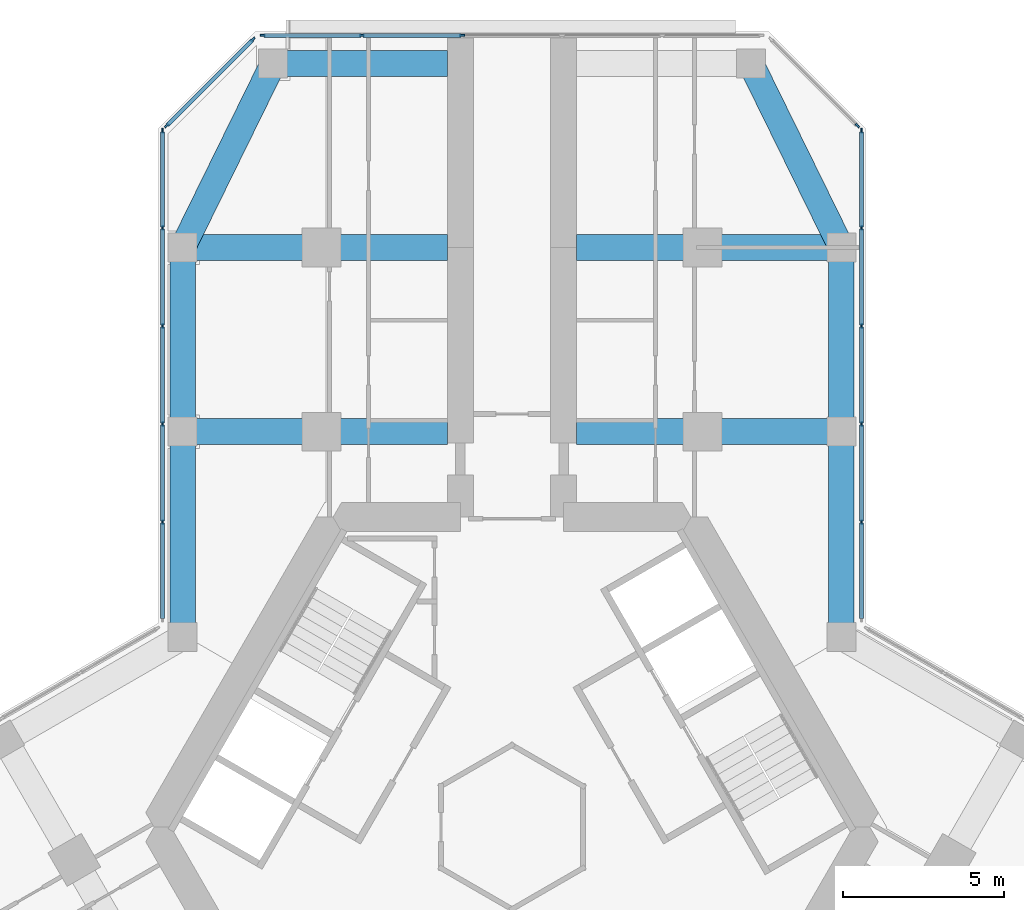
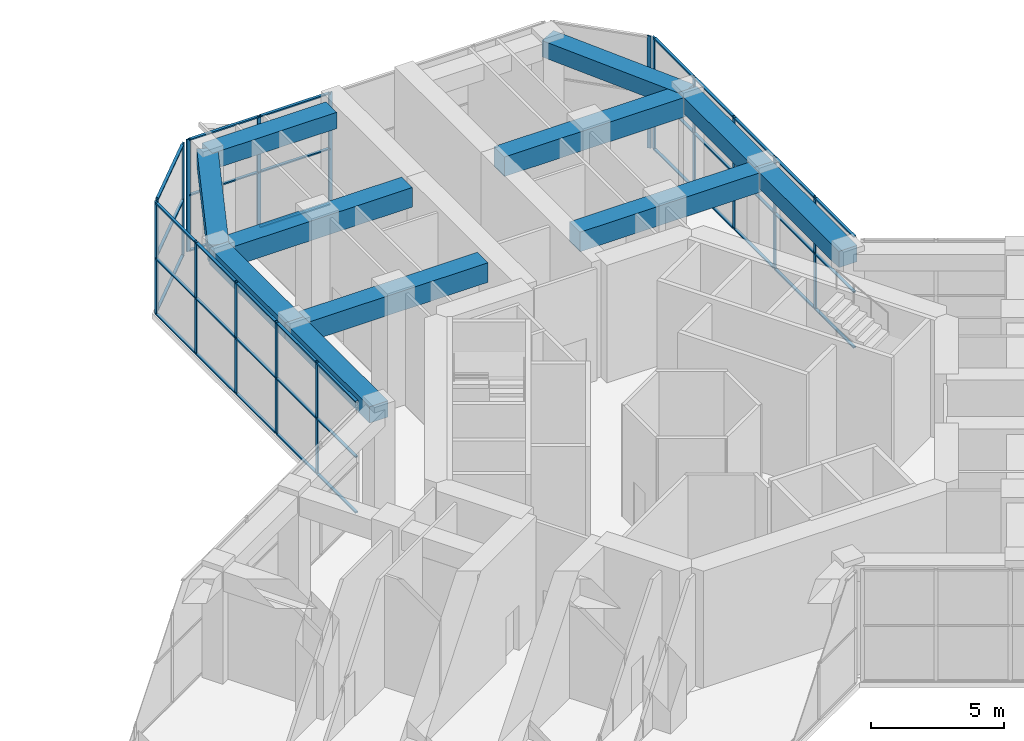
# One storey, part 8 of 20: 55 members, 11 beams, 5 elements without a shape of their own.
"""IFC4 building model written with IfcOpenShell, lengths in metres."""

from ifc_helpers import new_model, si_unit, direction, frame, origin, origin_2d, place, context, subcontext, project, spatial, rectangle, extrude, material, material_profile, profile_set, type_object, element, aggregate, save


model = new_model("IFC4")

# Units and contexts
model_context = context("Model", 3, precision=1e-05, world=origin(), true_north=direction((0.0, 1.0)))
body_context = subcontext(model_context, "Body", "Model", "MODEL_VIEW")
ifc_project = project(units=[si_unit("LENGTHUNIT", "METRE"), si_unit("AREAUNIT", "SQUARE_METRE"), si_unit("VOLUMEUNIT", "CUBIC_METRE"), si_unit("PLANEANGLEUNIT", "RADIAN"), si_unit("MASSUNIT", "GRAM", prefix="KILO")], contexts=[model_context])

# Site, building, storey
site_placement = place(None, origin())
site = spatial("IfcSite", under=ifc_project, at=site_placement, CompositionType="ELEMENT")
building_placement = place(site_placement, origin())
building = spatial("IfcBuilding", under=site, at=building_placement, Name="Kosmar Iwan School Tower", CompositionType="ELEMENT")
storey_placement = place(building_placement, frame((0.0, 0.0, 152.60009765625)))
storey = spatial("IfcBuildingStorey", under=building, at=storey_placement, Name="L38", CompositionType="ELEMENT", Elevation=152.60009765625)

# Curtain wall, members
ifc_material_1 = material(Name="Dark glass in black aluminium frame", Category="aluminium")
curtain_wall_type_1 = type_object("IfcCurtainWallType", Name="Winter garden curtain wall", PredefinedType="USERDEFINED", material=ifc_material_1)
curtain_wall_1_placement = place(storey_placement, origin())
curtain_wall_1 = element("IfcCurtainWall", 1, at=curtain_wall_1_placement, inside=storey, type_object=curtain_wall_type_1, Name="Curtain wall L38-F06", ObjectType="WINTER GARDEN CURTAIN WALL", PredefinedType="USERDEFINED")
ifc_material_2 = material(Name="Black anodised aluminium", Category="aluminium")
ifc_material_profile_1 = material_profile(ifc_material_2, rectangle(XDim=0.06005859375, YDim=0.159912109375, at=origin_2d()), Name="MULLION 60x160")
ifc_profile_set_1 = profile_set([ifc_material_profile_1], Name="Black anodised aluminium")
member_type_1 = type_object("IfcMemberType", Name="Mullion 60x160", PredefinedType="MULLION", material=ifc_profile_set_1)
member_1_placement = place(storey_placement, frame((10.824951171875, 9.44677734375, 0.0), z_axis=(0.0, 0.0, 1.0), x_axis=(-1.0, 0.0, 0.0)))
member_1 = element("IfcMember", 2, at=member_1_placement, type_object=member_type_1, Name="CW7 mullion 2", PredefinedType="MULLION", context=body_context, shape_type="SweptSolid", body=[
    extrude(rectangle(XDim=0.06005859375, YDim=0.159912109375, at=origin_2d()), origin(), (0.0, 0.0, 1.0), 5.14990234375),
])
member_2_placement = place(storey_placement, frame((10.824951171875, 12.484619140625, 0.0), z_axis=(0.0, 0.0, 1.0), x_axis=(-1.0, 0.0, 0.0)))
member_2 = element("IfcMember", 3, at=member_2_placement, type_object=member_type_1, Name="CW7 mullion 3", PredefinedType="MULLION", context=body_context, shape_type="SweptSolid", body=[
    extrude(rectangle(XDim=0.06005859375, YDim=0.159912109375, at=origin_2d()), origin(), (0.0, 0.0, 1.0), 5.14990234375),
])
member_3_placement = place(storey_placement, frame((10.824951171875, 15.5224609375, 0.0), z_axis=(0.0, 0.0, 1.0), x_axis=(-1.0, 0.0, 0.0)))
member_3 = element("IfcMember", 4, at=member_3_placement, type_object=member_type_1, Name="CW7 mullion 4", PredefinedType="MULLION", context=body_context, shape_type="SweptSolid", body=[
    extrude(rectangle(XDim=0.06005859375, YDim=0.159912109375, at=origin_2d()), origin(), (0.0, 0.0, 1.0), 5.14990234375),
])
member_4_placement = place(storey_placement, frame((10.824951171875, 18.560302734375, 0.0), z_axis=(0.0, 0.0, 1.0), x_axis=(-1.0, 0.0, 0.0)))
member_4 = element("IfcMember", 5, at=member_4_placement, type_object=member_type_1, Name="CW7 mullion 5", PredefinedType="MULLION", context=body_context, shape_type="SweptSolid", body=[
    extrude(rectangle(XDim=0.06005859375, YDim=0.159912109375, at=origin_2d()), origin(), (0.0, 0.0, 1.0), 5.14990234375),
])
member_5_placement = place(storey_placement, frame((10.824951171875, 21.568115234375, 0.0), z_axis=(0.0, 0.0, 1.0), x_axis=(-1.0, 0.0, 0.0)))
member_5 = element("IfcMember", 6, at=member_5_placement, type_object=member_type_1, Name="CW7 mullion 6", PredefinedType="MULLION", context=body_context, shape_type="SweptSolid", body=[
    extrude(rectangle(XDim=0.06005859375, YDim=0.159912109375, at=origin_2d()), origin(), (0.0, 0.0, 1.0), 5.14990234375),
])

# Curtain wall, member
ifc_material_3 = material(Name="Dark glass in black aluminium frame", Category="aluminium")
curtain_wall_type_2 = type_object("IfcCurtainWallType", Name="Chamfer curtain wall dark glass", PredefinedType="USERDEFINED", material=ifc_material_3)
curtain_wall_2_placement = place(storey_placement, origin())
curtain_wall_2 = element("IfcCurtainWall", 7, at=curtain_wall_2_placement, inside=storey, type_object=curtain_wall_type_2, Name="Curtain wall L38-F07", ObjectType="FACETED CURTAIN WALL", PredefinedType="USERDEFINED")
member_6_placement = place(storey_placement, frame((10.69775390625, 21.7255859375, 0.0), z_axis=(0.0, 0.0, 1.0), x_axis=(-0.707106781187, -0.707106781187, 0.0)))
member_6 = element("IfcMember", 8, at=member_6_placement, type_object=member_type_1, Name="CW2 mullion 1", PredefinedType="MULLION", context=body_context, shape_type="SweptSolid", body=[
    extrude(rectangle(XDim=0.06005859375, YDim=0.159912109375, at=origin_2d()), origin(), (0.0, 0.0, 1.0), 5.14990234375),
])
aggregate(curtain_wall_2, [member_6])

# Curtain wall, members
ifc_material_4 = material(Name="Dark glass in black aluminium frame", Category="aluminium")
curtain_wall_type_3 = type_object("IfcCurtainWallType", Name="Tower curtain wall dark glass", PredefinedType="USERDEFINED", material=ifc_material_4)
curtain_wall_3_placement = place(storey_placement, origin())
curtain_wall_3 = element("IfcCurtainWall", 9, at=curtain_wall_3_placement, inside=storey, type_object=curtain_wall_type_3, Name="Curtain wall L38-F08", ObjectType="UNITISED CURTAIN WALL", PredefinedType="USERDEFINED")
member_7_placement = place(storey_placement, frame((-1.549560546875, 24.52490234375, 0.0), z_axis=(0.0, 0.0, 1.0), x_axis=(0.0, -1.0, 0.0)))
member_7 = element("IfcMember", 10, at=member_7_placement, type_object=member_type_1, Name="CW1 mullion 4", PredefinedType="MULLION", context=body_context, shape_type="SweptSolid", body=[
    extrude(rectangle(XDim=0.06005859375, YDim=0.159912109375, at=origin_2d()), origin(), (0.0, 0.0, 1.0), 5.14990234375),
])
member_8_placement = place(storey_placement, frame((-4.64892578125, 24.52490234375, 0.0), z_axis=(0.0, 0.0, 1.0), x_axis=(0.0, -1.0, 0.0)))
member_8 = element("IfcMember", 11, at=member_8_placement, type_object=member_type_1, Name="CW1 mullion 5", PredefinedType="MULLION", context=body_context, shape_type="SweptSolid", body=[
    extrude(rectangle(XDim=0.06005859375, YDim=0.159912109375, at=origin_2d()), origin(), (0.0, 0.0, 1.0), 5.14990234375),
])
member_9_placement = place(storey_placement, frame((-7.71826171875, 24.52490234375, 0.0), z_axis=(0.0, 0.0, 1.0), x_axis=(0.0, -1.0, 0.0)))
member_9 = element("IfcMember", 12, at=member_9_placement, type_object=member_type_1, Name="CW1 mullion 6", PredefinedType="MULLION", context=body_context, shape_type="SweptSolid", body=[
    extrude(rectangle(XDim=0.06005859375, YDim=0.159912109375, at=origin_2d()), origin(), (0.0, 0.0, 1.0), 5.14990234375),
])

curtain_wall_4_placement = place(storey_placement, origin())
curtain_wall_4 = element("IfcCurtainWall", 13, at=curtain_wall_4_placement, inside=storey, type_object=curtain_wall_type_2, Name="Curtain wall L38-F09", ObjectType="FACETED CURTAIN WALL", PredefinedType="USERDEFINED")
member_10_placement = place(storey_placement, frame((-8.025390625, 24.397705078125, 0.0), z_axis=(0.0, 0.0, 1.0), x_axis=(0.707106781187, -0.707106781187, 0.0)))
member_10 = element("IfcMember", 14, at=member_10_placement, type_object=member_type_1, Name="CW2 mullion 1", PredefinedType="MULLION", context=body_context, shape_type="SweptSolid", body=[
    extrude(rectangle(XDim=0.06005859375, YDim=0.159912109375, at=origin_2d()), origin(), (0.0, 0.0, 1.0), 5.14990234375),
])
member_11_placement = place(storey_placement, frame((-10.69775390625, 21.7255859375, 0.0), z_axis=(0.0, 0.0, 1.0), x_axis=(0.707106781187, -0.707106781187, 0.0)))
member_11 = element("IfcMember", 15, at=member_11_placement, type_object=member_type_1, Name="CW2 mullion 2", PredefinedType="MULLION", context=body_context, shape_type="SweptSolid", body=[
    extrude(rectangle(XDim=0.06005859375, YDim=0.159912109375, at=origin_2d()), origin(), (0.0, 0.0, 1.0), 5.14990234375),
])

curtain_wall_5_placement = place(storey_placement, origin())
curtain_wall_5 = element("IfcCurtainWall", 16, at=curtain_wall_5_placement, inside=storey, type_object=curtain_wall_type_1, Name="Curtain wall L38-F10", ObjectType="WINTER GARDEN CURTAIN WALL", PredefinedType="USERDEFINED")
member_12_placement = place(storey_placement, frame((-10.824951171875, 9.44677734375, 0.0), z_axis=(0.0, 0.0, 1.0), x_axis=(-1.0, 0.0, 0.0)))
member_12 = element("IfcMember", 17, at=member_12_placement, type_object=member_type_1, Name="CW7 mullion 2", PredefinedType="MULLION", context=body_context, shape_type="SweptSolid", body=[
    extrude(rectangle(XDim=0.06005859375, YDim=0.159912109375, at=origin_2d()), origin(), (0.0, 0.0, 1.0), 5.14990234375),
])
member_13_placement = place(storey_placement, frame((-10.824951171875, 12.484619140625, 0.0), z_axis=(0.0, 0.0, 1.0), x_axis=(-1.0, 0.0, 0.0)))
member_13 = element("IfcMember", 18, at=member_13_placement, type_object=member_type_1, Name="CW7 mullion 3", PredefinedType="MULLION", context=body_context, shape_type="SweptSolid", body=[
    extrude(rectangle(XDim=0.06005859375, YDim=0.159912109375, at=origin_2d()), origin(), (0.0, 0.0, 1.0), 5.14990234375),
])
member_14_placement = place(storey_placement, frame((-10.824951171875, 15.5224609375, 0.0), z_axis=(0.0, 0.0, 1.0), x_axis=(-1.0, 0.0, 0.0)))
member_14 = element("IfcMember", 19, at=member_14_placement, type_object=member_type_1, Name="CW7 mullion 4", PredefinedType="MULLION", context=body_context, shape_type="SweptSolid", body=[
    extrude(rectangle(XDim=0.06005859375, YDim=0.159912109375, at=origin_2d()), origin(), (0.0, 0.0, 1.0), 5.14990234375),
])
member_15_placement = place(storey_placement, frame((-10.824951171875, 18.560302734375, 0.0), z_axis=(0.0, 0.0, 1.0), x_axis=(-1.0, 0.0, 0.0)))
member_15 = element("IfcMember", 20, at=member_15_placement, type_object=member_type_1, Name="CW7 mullion 5", PredefinedType="MULLION", context=body_context, shape_type="SweptSolid", body=[
    extrude(rectangle(XDim=0.06005859375, YDim=0.159912109375, at=origin_2d()), origin(), (0.0, 0.0, 1.0), 5.14990234375),
])
member_16_placement = place(storey_placement, frame((-10.824951171875, 21.568115234375, 0.0), z_axis=(0.0, 0.0, 1.0), x_axis=(-1.0, 0.0, 0.0)))
member_16 = element("IfcMember", 21, at=member_16_placement, type_object=member_type_1, Name="CW7 mullion 6", PredefinedType="MULLION", context=body_context, shape_type="SweptSolid", body=[
    extrude(rectangle(XDim=0.06005859375, YDim=0.159912109375, at=origin_2d()), origin(), (0.0, 0.0, 1.0), 5.14990234375),
])

# Beams
ifc_material_5 = material(Name="Concrete C50/60", Category="concrete")
ifc_material_profile_2 = material_profile(ifc_material_5, rectangle(XDim=0.800048828125, YDim=0.75, at=origin_2d()), Name="RC 800x750")
ifc_profile_set_2 = profile_set([ifc_material_profile_2], Name="Concrete C50/60")
beam_type_1 = type_object("IfcBeamType", Name="RC edge beam 800x750", PredefinedType="BEAM", material=ifc_profile_set_2)
beam_1_placement = place(storey_placement, frame((-10.199951171875, 5.888916015625, 4.77490234375), z_axis=(0.0, 1.0, 0.0), x_axis=(-1.0, 0.0, 0.0)))
element("IfcBeam", 22, at=beam_1_placement, inside=storey, type_object=beam_type_1, Name="Edge beam AL1", PredefinedType="BEAM", context=body_context, shape_type="SweptSolid", body=[
    extrude(rectangle(XDim=0.800048828125, YDim=0.75, at=origin_2d()), origin(), (0.0, 0.0, 1.0), 6.361083984375),
])
beam_2_placement = place(storey_placement, frame((-10.199951171875, 12.25, 4.77490234375), z_axis=(0.0, 1.0, 0.0), x_axis=(-1.0, 0.0, 0.0)))
element("IfcBeam", 23, at=beam_2_placement, inside=storey, type_object=beam_type_1, Name="Edge beam AL2", PredefinedType="BEAM", context=body_context, shape_type="SweptSolid", body=[
    extrude(rectangle(XDim=0.800048828125, YDim=0.75, at=origin_2d()), origin(), (0.0, 0.0, 1.0), 5.699951171875),
])
beam_3_placement = place(storey_placement, frame((10.199951171875, 5.888916015625, 4.77490234375), z_axis=(0.0, 1.0, 0.0), x_axis=(-1.0, 0.0, 0.0)))
element("IfcBeam", 24, at=beam_3_placement, inside=storey, type_object=beam_type_1, Name="Edge beam AR1", PredefinedType="BEAM", context=body_context, shape_type="SweptSolid", body=[
    extrude(rectangle(XDim=0.800048828125, YDim=0.75, at=origin_2d()), origin(), (0.0, 0.0, 1.0), 6.361083984375),
])
beam_4_placement = place(storey_placement, frame((10.199951171875, 12.25, 4.77490234375), z_axis=(0.0, 1.0, 0.0), x_axis=(-1.0, 0.0, 0.0)))
element("IfcBeam", 25, at=beam_4_placement, inside=storey, type_object=beam_type_1, Name="Edge beam AR2", PredefinedType="BEAM", context=body_context, shape_type="SweptSolid", body=[
    extrude(rectangle(XDim=0.800048828125, YDim=0.75, at=origin_2d()), origin(), (0.0, 0.0, 1.0), 5.699951171875),
])
ifc_material_6 = material(Name="Concrete C50/60", Category="concrete")
ifc_material_profile_3 = material_profile(ifc_material_6, rectangle(XDim=0.800048828125, YDim=0.75, at=origin_2d()), Name="RC 800x750")
ifc_profile_set_3 = profile_set([ifc_material_profile_3], Name="Concrete C50/60")
beam_type_2 = type_object("IfcBeamType", Name="RC tip beam 800x750", PredefinedType="BEAM", material=ifc_profile_set_3)
beam_5_placement = place(storey_placement, frame((-10.199951171875, 17.949951171875, 4.77490234375), z_axis=(0.440913116462, 0.897549788999, 0.0), x_axis=(-0.897549788999, 0.440913116462, 0.0)))
element("IfcBeam", 26, at=beam_5_placement, inside=storey, type_object=beam_type_2, Name="Tip beam AL", PredefinedType="BEAM", context=body_context, shape_type="SweptSolid", body=[
    extrude(rectangle(XDim=0.800048828125, YDim=0.75, at=origin_2d()), origin(), (0.0, 0.0, 1.0), 6.3505859375),
])
beam_6_placement = place(storey_placement, frame((-7.39990234375, 23.64990234375, 4.77490234375), z_axis=(1.0, 0.0, 0.0), x_axis=(0.0, 1.0, 0.0)))
element("IfcBeam", 27, at=beam_6_placement, inside=storey, type_object=beam_type_2, Name="Tip beam AL to corridor wall", PredefinedType="BEAM", context=body_context, shape_type="SweptSolid", body=[
    extrude(rectangle(XDim=0.800048828125, YDim=0.75, at=origin_2d()), origin(), (0.0, 0.0, 1.0), 5.39990234375),
])
beam_7_placement = place(storey_placement, frame((10.199951171875, 17.949951171875, 4.77490234375), z_axis=(-0.440913116462, 0.897549788999, 0.0), x_axis=(-0.897549788999, -0.440913116462, 0.0)))
element("IfcBeam", 28, at=beam_7_placement, inside=storey, type_object=beam_type_2, Name="Tip beam AR", PredefinedType="BEAM", context=body_context, shape_type="SweptSolid", body=[
    extrude(rectangle(XDim=0.800048828125, YDim=0.75, at=origin_2d()), origin(), (0.0, 0.0, 1.0), 6.3505859375),
])
ifc_material_7 = material(Name="Concrete C50/60", Category="concrete")
ifc_material_profile_4 = material_profile(ifc_material_7, rectangle(XDim=0.800048828125, YDim=0.89990234375, at=origin_2d()), Name="RC 800x900")
ifc_profile_set_4 = profile_set([ifc_material_profile_4], Name="Concrete C50/60")
beam_type_3 = type_object("IfcBeamType", Name="RC transverse beam 800x900", PredefinedType="BEAM", material=ifc_profile_set_4)
for number, where, z_axis, x_axis, name in (
    (29, (-10.199951171875, 12.25, 4.699951171875), (1.0, 0.0, 0.0), (0.0, 1.0, 0.0), "Transverse beam AL1"),
    (30, (-10.199951171875, 17.949951171875, 4.699951171875), (1.0, 0.0, 0.0), (0.0, 1.0, 0.0), "Transverse beam AL2"),
    (31, (10.199951171875, 12.25, 4.699951171875), (-1.0, 0.0, 0.0), (0.0, -1.0, 0.0), "Transverse beam AR1"),
    (32, (10.199951171875, 17.949951171875, 4.699951171875), (-1.0, 0.0, 0.0), (0.0, -1.0, 0.0), "Transverse beam AR2"),
):
    element("IfcBeam", number, at=place(storey_placement, frame(where, z_axis=z_axis, x_axis=x_axis)), inside=storey, type_object=beam_type_3, Name=name, PredefinedType="BEAM", context=body_context, shape_type="SweptSolid", body=[
        extrude(rectangle(XDim=0.800048828125, YDim=0.89990234375, at=origin_2d()), origin(), (0.0, 0.0, 1.0), 8.199951171875),
    ])

# Member
ifc_material_8 = material(Name="Black anodised aluminium", Category="aluminium")
ifc_material_profile_5 = material_profile(ifc_material_8, rectangle(XDim=0.1201171875, YDim=0.06005859375, at=origin_2d()), Name="TRANSOM 60x120")
ifc_profile_set_5 = profile_set([ifc_material_profile_5], Name="Black anodised aluminium")
member_type_2 = type_object("IfcMemberType", Name="Transom 60x120", PredefinedType="USERDEFINED", material=ifc_profile_set_5)
member_17_placement = place(storey_placement, frame((10.824951171875, 6.468994140625, 0.02978515625), z_axis=(0.0, 1.0, 0.0), x_axis=(-1.0, 0.0, 0.0)))
member_17 = element("IfcMember", 33, at=member_17_placement, type_object=member_type_2, Name="CW7 transom 1.1", ObjectType="TRANSOM", PredefinedType="USERDEFINED", context=body_context, shape_type="SweptSolid", body=[
    extrude(rectangle(XDim=0.1201171875, YDim=0.06005859375, at=origin_2d()), origin(), (0.0, 0.0, 1.0), 2.94775390625),
])

member_18_placement = place(storey_placement, frame((10.824951171875, 6.468994140625, 2.574951171875), z_axis=(0.0, 1.0, 0.0), x_axis=(-1.0, 0.0, 0.0)))
member_18 = element("IfcMember", 34, at=member_18_placement, type_object=member_type_2, Name="CW7 transom 1.2", ObjectType="TRANSOM", PredefinedType="USERDEFINED", context=body_context, shape_type="SweptSolid", body=[
    extrude(rectangle(XDim=0.1201171875, YDim=0.06005859375, at=origin_2d()), origin(), (0.0, 0.0, 1.0), 2.94775390625),
])

member_19_placement = place(storey_placement, frame((10.824951171875, 6.468994140625, 5.119873046875), z_axis=(0.0, 1.0, 0.0), x_axis=(-1.0, 0.0, 0.0)))
member_19 = element("IfcMember", 35, at=member_19_placement, type_object=member_type_2, Name="CW7 transom 1.3", ObjectType="TRANSOM", PredefinedType="USERDEFINED", context=body_context, shape_type="SweptSolid", body=[
    extrude(rectangle(XDim=0.1201171875, YDim=0.06005859375, at=origin_2d()), origin(), (0.0, 0.0, 1.0), 2.94775390625),
])

member_20_placement = place(storey_placement, frame((10.824951171875, 9.476806640625, 0.02978515625), z_axis=(0.0, 1.0, 0.0), x_axis=(-1.0, 0.0, 0.0)))
member_20 = element("IfcMember", 36, at=member_20_placement, type_object=member_type_2, Name="CW7 transom 2.1", ObjectType="TRANSOM", PredefinedType="USERDEFINED", context=body_context, shape_type="SweptSolid", body=[
    extrude(rectangle(XDim=0.1201171875, YDim=0.06005859375, at=origin_2d()), origin(), (0.0, 0.0, 1.0), 2.977783203125),
])

member_21_placement = place(storey_placement, frame((10.824951171875, 9.476806640625, 2.574951171875), z_axis=(0.0, 1.0, 0.0), x_axis=(-1.0, 0.0, 0.0)))
member_21 = element("IfcMember", 37, at=member_21_placement, type_object=member_type_2, Name="CW7 transom 2.2", ObjectType="TRANSOM", PredefinedType="USERDEFINED", context=body_context, shape_type="SweptSolid", body=[
    extrude(rectangle(XDim=0.1201171875, YDim=0.06005859375, at=origin_2d()), origin(), (0.0, 0.0, 1.0), 2.977783203125),
])

member_22_placement = place(storey_placement, frame((10.824951171875, 9.476806640625, 5.119873046875), z_axis=(0.0, 1.0, 0.0), x_axis=(-1.0, 0.0, 0.0)))
member_22 = element("IfcMember", 38, at=member_22_placement, type_object=member_type_2, Name="CW7 transom 2.3", ObjectType="TRANSOM", PredefinedType="USERDEFINED", context=body_context, shape_type="SweptSolid", body=[
    extrude(rectangle(XDim=0.1201171875, YDim=0.06005859375, at=origin_2d()), origin(), (0.0, 0.0, 1.0), 2.977783203125),
])

member_23_placement = place(storey_placement, frame((10.824951171875, 12.5146484375, 0.02978515625), z_axis=(0.0, 1.0, 0.0), x_axis=(-1.0, 0.0, 0.0)))
member_23 = element("IfcMember", 39, at=member_23_placement, type_object=member_type_2, Name="CW7 transom 3.1", ObjectType="TRANSOM", PredefinedType="USERDEFINED", context=body_context, shape_type="SweptSolid", body=[
    extrude(rectangle(XDim=0.1201171875, YDim=0.06005859375, at=origin_2d()), origin(), (0.0, 0.0, 1.0), 2.977783203125),
])

member_24_placement = place(storey_placement, frame((10.824951171875, 12.5146484375, 2.574951171875), z_axis=(0.0, 1.0, 0.0), x_axis=(-1.0, 0.0, 0.0)))
member_24 = element("IfcMember", 40, at=member_24_placement, type_object=member_type_2, Name="CW7 transom 3.2", ObjectType="TRANSOM", PredefinedType="USERDEFINED", context=body_context, shape_type="SweptSolid", body=[
    extrude(rectangle(XDim=0.1201171875, YDim=0.06005859375, at=origin_2d()), origin(), (0.0, 0.0, 1.0), 2.977783203125),
])

member_25_placement = place(storey_placement, frame((10.824951171875, 12.5146484375, 5.119873046875), z_axis=(0.0, 1.0, 0.0), x_axis=(-1.0, 0.0, 0.0)))
member_25 = element("IfcMember", 41, at=member_25_placement, type_object=member_type_2, Name="CW7 transom 3.3", ObjectType="TRANSOM", PredefinedType="USERDEFINED", context=body_context, shape_type="SweptSolid", body=[
    extrude(rectangle(XDim=0.1201171875, YDim=0.06005859375, at=origin_2d()), origin(), (0.0, 0.0, 1.0), 2.977783203125),
])

member_26_placement = place(storey_placement, frame((10.824951171875, 15.552490234375, 0.02978515625), z_axis=(0.0, 1.0, 0.0), x_axis=(-1.0, 0.0, 0.0)))
member_26 = element("IfcMember", 42, at=member_26_placement, type_object=member_type_2, Name="CW7 transom 4.1", ObjectType="TRANSOM", PredefinedType="USERDEFINED", context=body_context, shape_type="SweptSolid", body=[
    extrude(rectangle(XDim=0.1201171875, YDim=0.06005859375, at=origin_2d()), origin(), (0.0, 0.0, 1.0), 2.977783203125),
])

member_27_placement = place(storey_placement, frame((10.824951171875, 15.552490234375, 2.574951171875), z_axis=(0.0, 1.0, 0.0), x_axis=(-1.0, 0.0, 0.0)))
member_27 = element("IfcMember", 43, at=member_27_placement, type_object=member_type_2, Name="CW7 transom 4.2", ObjectType="TRANSOM", PredefinedType="USERDEFINED", context=body_context, shape_type="SweptSolid", body=[
    extrude(rectangle(XDim=0.1201171875, YDim=0.06005859375, at=origin_2d()), origin(), (0.0, 0.0, 1.0), 2.977783203125),
])

member_28_placement = place(storey_placement, frame((10.824951171875, 15.552490234375, 5.119873046875), z_axis=(0.0, 1.0, 0.0), x_axis=(-1.0, 0.0, 0.0)))
member_28 = element("IfcMember", 44, at=member_28_placement, type_object=member_type_2, Name="CW7 transom 4.3", ObjectType="TRANSOM", PredefinedType="USERDEFINED", context=body_context, shape_type="SweptSolid", body=[
    extrude(rectangle(XDim=0.1201171875, YDim=0.06005859375, at=origin_2d()), origin(), (0.0, 0.0, 1.0), 2.977783203125),
])

member_29_placement = place(storey_placement, frame((10.824951171875, 18.59033203125, 0.02978515625), z_axis=(0.0, 1.0, 0.0), x_axis=(-1.0, 0.0, 0.0)))
member_29 = element("IfcMember", 45, at=member_29_placement, type_object=member_type_2, Name="CW7 transom 5.1", ObjectType="TRANSOM", PredefinedType="USERDEFINED", context=body_context, shape_type="SweptSolid", body=[
    extrude(rectangle(XDim=0.1201171875, YDim=0.06005859375, at=origin_2d()), origin(), (0.0, 0.0, 1.0), 2.947998046875),
])

member_30_placement = place(storey_placement, frame((10.824951171875, 18.59033203125, 2.574951171875), z_axis=(0.0, 1.0, 0.0), x_axis=(-1.0, 0.0, 0.0)))
member_30 = element("IfcMember", 46, at=member_30_placement, type_object=member_type_2, Name="CW7 transom 5.2", ObjectType="TRANSOM", PredefinedType="USERDEFINED", context=body_context, shape_type="SweptSolid", body=[
    extrude(rectangle(XDim=0.1201171875, YDim=0.06005859375, at=origin_2d()), origin(), (0.0, 0.0, 1.0), 2.947998046875),
])

member_31_placement = place(storey_placement, frame((10.824951171875, 18.59033203125, 5.119873046875), z_axis=(0.0, 1.0, 0.0), x_axis=(-1.0, 0.0, 0.0)))
member_31 = element("IfcMember", 47, at=member_31_placement, type_object=member_type_2, Name="CW7 transom 5.3", ObjectType="TRANSOM", PredefinedType="USERDEFINED", context=body_context, shape_type="SweptSolid", body=[
    extrude(rectangle(XDim=0.1201171875, YDim=0.06005859375, at=origin_2d()), origin(), (0.0, 0.0, 1.0), 2.947998046875),
])

aggregate(curtain_wall_1, [member_1, member_2, member_3, member_4, member_5, member_17, member_18, member_19, member_20, member_21, member_22, member_23, member_24, member_25, member_26, member_27, member_28, member_29, member_30, member_31])

member_32_placement = place(storey_placement, frame((-1.57958984375, 24.52490234375, 0.02978515625), z_axis=(-1.0, 0.0, 0.0), x_axis=(0.0, -1.0, 0.0)))
member_32 = element("IfcMember", 48, at=member_32_placement, type_object=member_type_2, Name="CW1 transom 4.1", ObjectType="TRANSOM", PredefinedType="USERDEFINED", context=body_context, shape_type="SweptSolid", body=[
    extrude(rectangle(XDim=0.1201171875, YDim=0.06005859375, at=origin_2d()), origin(), (0.0, 0.0, 1.0), 3.039306640625),
])

member_33_placement = place(storey_placement, frame((-1.57958984375, 24.52490234375, 2.574951171875), z_axis=(-1.0, 0.0, 0.0), x_axis=(0.0, -1.0, 0.0)))
member_33 = element("IfcMember", 49, at=member_33_placement, type_object=member_type_2, Name="CW1 transom 4.2", ObjectType="TRANSOM", PredefinedType="USERDEFINED", context=body_context, shape_type="SweptSolid", body=[
    extrude(rectangle(XDim=0.1201171875, YDim=0.06005859375, at=origin_2d()), origin(), (0.0, 0.0, 1.0), 3.039306640625),
])

member_34_placement = place(storey_placement, frame((-1.57958984375, 24.52490234375, 5.119873046875), z_axis=(-1.0, 0.0, 0.0), x_axis=(0.0, -1.0, 0.0)))
member_34 = element("IfcMember", 50, at=member_34_placement, type_object=member_type_2, Name="CW1 transom 4.3", ObjectType="TRANSOM", PredefinedType="USERDEFINED", context=body_context, shape_type="SweptSolid", body=[
    extrude(rectangle(XDim=0.1201171875, YDim=0.06005859375, at=origin_2d()), origin(), (0.0, 0.0, 1.0), 3.039306640625),
])

member_35_placement = place(storey_placement, frame((-4.678955078125, 24.52490234375, 0.02978515625), z_axis=(-1.0, 0.0, 0.0), x_axis=(0.0, -1.0, 0.0)))
member_35 = element("IfcMember", 51, at=member_35_placement, type_object=member_type_2, Name="CW1 transom 5.1", ObjectType="TRANSOM", PredefinedType="USERDEFINED", context=body_context, shape_type="SweptSolid", body=[
    extrude(rectangle(XDim=0.1201171875, YDim=0.06005859375, at=origin_2d()), origin(), (0.0, 0.0, 1.0), 3.00927734375),
])

member_36_placement = place(storey_placement, frame((-4.678955078125, 24.52490234375, 2.574951171875), z_axis=(-1.0, 0.0, 0.0), x_axis=(0.0, -1.0, 0.0)))
member_36 = element("IfcMember", 52, at=member_36_placement, type_object=member_type_2, Name="CW1 transom 5.2", ObjectType="TRANSOM", PredefinedType="USERDEFINED", context=body_context, shape_type="SweptSolid", body=[
    extrude(rectangle(XDim=0.1201171875, YDim=0.06005859375, at=origin_2d()), origin(), (0.0, 0.0, 1.0), 3.00927734375),
])

member_37_placement = place(storey_placement, frame((-4.678955078125, 24.52490234375, 5.119873046875), z_axis=(-1.0, 0.0, 0.0), x_axis=(0.0, -1.0, 0.0)))
member_37 = element("IfcMember", 53, at=member_37_placement, type_object=member_type_2, Name="CW1 transom 5.3", ObjectType="TRANSOM", PredefinedType="USERDEFINED", context=body_context, shape_type="SweptSolid", body=[
    extrude(rectangle(XDim=0.1201171875, YDim=0.06005859375, at=origin_2d()), origin(), (0.0, 0.0, 1.0), 3.00927734375),
])

aggregate(curtain_wall_3, [member_7, member_8, member_9, member_32, member_33, member_34, member_35, member_36, member_37])

member_38_placement = place(storey_placement, frame((-8.046630859375, 24.37646484375, 0.02978515625), z_axis=(-0.707139603466, -0.707073957383, 0.0), x_axis=(0.707073957383, -0.707139603466, 0.0)))
member_38 = element("IfcMember", 54, at=member_38_placement, type_object=member_type_2, Name="CW2 transom 1.1", ObjectType="TRANSOM", PredefinedType="USERDEFINED", context=body_context, shape_type="SweptSolid", body=[
    extrude(rectangle(XDim=0.1201171875, YDim=0.06005859375, at=origin_2d()), origin(), (0.0, 0.0, 1.0), 3.718994140625),
])

member_39_placement = place(storey_placement, frame((-8.046630859375, 24.37646484375, 2.574951171875), z_axis=(-0.707139603466, -0.707073957383, 0.0), x_axis=(0.707073957383, -0.707139603466, 0.0)))
member_39 = element("IfcMember", 55, at=member_39_placement, type_object=member_type_2, Name="CW2 transom 1.2", ObjectType="TRANSOM", PredefinedType="USERDEFINED", context=body_context, shape_type="SweptSolid", body=[
    extrude(rectangle(XDim=0.1201171875, YDim=0.06005859375, at=origin_2d()), origin(), (0.0, 0.0, 1.0), 3.718994140625),
])

member_40_placement = place(storey_placement, frame((-8.046630859375, 24.37646484375, 5.119873046875), z_axis=(-0.707139603466, -0.707073957383, 0.0), x_axis=(0.707073957383, -0.707139603466, 0.0)))
member_40 = element("IfcMember", 56, at=member_40_placement, type_object=member_type_2, Name="CW2 transom 1.3", ObjectType="TRANSOM", PredefinedType="USERDEFINED", context=body_context, shape_type="SweptSolid", body=[
    extrude(rectangle(XDim=0.1201171875, YDim=0.06005859375, at=origin_2d()), origin(), (0.0, 0.0, 1.0), 3.718994140625),
])

aggregate(curtain_wall_4, [member_10, member_11, member_38, member_39, member_40])

member_41_placement = place(storey_placement, frame((-10.824951171875, 6.468994140625, 0.02978515625), z_axis=(0.0, 1.0, 0.0), x_axis=(-1.0, 0.0, 0.0)))
member_41 = element("IfcMember", 57, at=member_41_placement, type_object=member_type_2, Name="CW7 transom 1.1", ObjectType="TRANSOM", PredefinedType="USERDEFINED", context=body_context, shape_type="SweptSolid", body=[
    extrude(rectangle(XDim=0.1201171875, YDim=0.06005859375, at=origin_2d()), origin(), (0.0, 0.0, 1.0), 2.94775390625),
])

member_42_placement = place(storey_placement, frame((-10.824951171875, 6.468994140625, 2.574951171875), z_axis=(0.0, 1.0, 0.0), x_axis=(-1.0, 0.0, 0.0)))
member_42 = element("IfcMember", 58, at=member_42_placement, type_object=member_type_2, Name="CW7 transom 1.2", ObjectType="TRANSOM", PredefinedType="USERDEFINED", context=body_context, shape_type="SweptSolid", body=[
    extrude(rectangle(XDim=0.1201171875, YDim=0.06005859375, at=origin_2d()), origin(), (0.0, 0.0, 1.0), 2.94775390625),
])

member_43_placement = place(storey_placement, frame((-10.824951171875, 6.468994140625, 5.119873046875), z_axis=(0.0, 1.0, 0.0), x_axis=(-1.0, 0.0, 0.0)))
member_43 = element("IfcMember", 59, at=member_43_placement, type_object=member_type_2, Name="CW7 transom 1.3", ObjectType="TRANSOM", PredefinedType="USERDEFINED", context=body_context, shape_type="SweptSolid", body=[
    extrude(rectangle(XDim=0.1201171875, YDim=0.06005859375, at=origin_2d()), origin(), (0.0, 0.0, 1.0), 2.94775390625),
])

member_44_placement = place(storey_placement, frame((-10.824951171875, 9.476806640625, 0.02978515625), z_axis=(0.0, 1.0, 0.0), x_axis=(-1.0, 0.0, 0.0)))
member_44 = element("IfcMember", 60, at=member_44_placement, type_object=member_type_2, Name="CW7 transom 2.1", ObjectType="TRANSOM", PredefinedType="USERDEFINED", context=body_context, shape_type="SweptSolid", body=[
    extrude(rectangle(XDim=0.1201171875, YDim=0.06005859375, at=origin_2d()), origin(), (0.0, 0.0, 1.0), 2.977783203125),
])

member_45_placement = place(storey_placement, frame((-10.824951171875, 9.476806640625, 2.574951171875), z_axis=(0.0, 1.0, 0.0), x_axis=(-1.0, 0.0, 0.0)))
member_45 = element("IfcMember", 61, at=member_45_placement, type_object=member_type_2, Name="CW7 transom 2.2", ObjectType="TRANSOM", PredefinedType="USERDEFINED", context=body_context, shape_type="SweptSolid", body=[
    extrude(rectangle(XDim=0.1201171875, YDim=0.06005859375, at=origin_2d()), origin(), (0.0, 0.0, 1.0), 2.977783203125),
])

member_46_placement = place(storey_placement, frame((-10.824951171875, 9.476806640625, 5.119873046875), z_axis=(0.0, 1.0, 0.0), x_axis=(-1.0, 0.0, 0.0)))
member_46 = element("IfcMember", 62, at=member_46_placement, type_object=member_type_2, Name="CW7 transom 2.3", ObjectType="TRANSOM", PredefinedType="USERDEFINED", context=body_context, shape_type="SweptSolid", body=[
    extrude(rectangle(XDim=0.1201171875, YDim=0.06005859375, at=origin_2d()), origin(), (0.0, 0.0, 1.0), 2.977783203125),
])

member_47_placement = place(storey_placement, frame((-10.824951171875, 12.5146484375, 0.02978515625), z_axis=(0.0, 1.0, 0.0), x_axis=(-1.0, 0.0, 0.0)))
member_47 = element("IfcMember", 63, at=member_47_placement, type_object=member_type_2, Name="CW7 transom 3.1", ObjectType="TRANSOM", PredefinedType="USERDEFINED", context=body_context, shape_type="SweptSolid", body=[
    extrude(rectangle(XDim=0.1201171875, YDim=0.06005859375, at=origin_2d()), origin(), (0.0, 0.0, 1.0), 2.977783203125),
])

member_48_placement = place(storey_placement, frame((-10.824951171875, 12.5146484375, 2.574951171875), z_axis=(0.0, 1.0, 0.0), x_axis=(-1.0, 0.0, 0.0)))
member_48 = element("IfcMember", 64, at=member_48_placement, type_object=member_type_2, Name="CW7 transom 3.2", ObjectType="TRANSOM", PredefinedType="USERDEFINED", context=body_context, shape_type="SweptSolid", body=[
    extrude(rectangle(XDim=0.1201171875, YDim=0.06005859375, at=origin_2d()), origin(), (0.0, 0.0, 1.0), 2.977783203125),
])

member_49_placement = place(storey_placement, frame((-10.824951171875, 12.5146484375, 5.119873046875), z_axis=(0.0, 1.0, 0.0), x_axis=(-1.0, 0.0, 0.0)))
member_49 = element("IfcMember", 65, at=member_49_placement, type_object=member_type_2, Name="CW7 transom 3.3", ObjectType="TRANSOM", PredefinedType="USERDEFINED", context=body_context, shape_type="SweptSolid", body=[
    extrude(rectangle(XDim=0.1201171875, YDim=0.06005859375, at=origin_2d()), origin(), (0.0, 0.0, 1.0), 2.977783203125),
])

member_50_placement = place(storey_placement, frame((-10.824951171875, 15.552490234375, 0.02978515625), z_axis=(0.0, 1.0, 0.0), x_axis=(-1.0, 0.0, 0.0)))
member_50 = element("IfcMember", 66, at=member_50_placement, type_object=member_type_2, Name="CW7 transom 4.1", ObjectType="TRANSOM", PredefinedType="USERDEFINED", context=body_context, shape_type="SweptSolid", body=[
    extrude(rectangle(XDim=0.1201171875, YDim=0.06005859375, at=origin_2d()), origin(), (0.0, 0.0, 1.0), 2.977783203125),
])

member_51_placement = place(storey_placement, frame((-10.824951171875, 15.552490234375, 2.574951171875), z_axis=(0.0, 1.0, 0.0), x_axis=(-1.0, 0.0, 0.0)))
member_51 = element("IfcMember", 67, at=member_51_placement, type_object=member_type_2, Name="CW7 transom 4.2", ObjectType="TRANSOM", PredefinedType="USERDEFINED", context=body_context, shape_type="SweptSolid", body=[
    extrude(rectangle(XDim=0.1201171875, YDim=0.06005859375, at=origin_2d()), origin(), (0.0, 0.0, 1.0), 2.977783203125),
])

member_52_placement = place(storey_placement, frame((-10.824951171875, 15.552490234375, 5.119873046875), z_axis=(0.0, 1.0, 0.0), x_axis=(-1.0, 0.0, 0.0)))
member_52 = element("IfcMember", 68, at=member_52_placement, type_object=member_type_2, Name="CW7 transom 4.3", ObjectType="TRANSOM", PredefinedType="USERDEFINED", context=body_context, shape_type="SweptSolid", body=[
    extrude(rectangle(XDim=0.1201171875, YDim=0.06005859375, at=origin_2d()), origin(), (0.0, 0.0, 1.0), 2.977783203125),
])

member_53_placement = place(storey_placement, frame((-10.824951171875, 18.59033203125, 0.02978515625), z_axis=(0.0, 1.0, 0.0), x_axis=(-1.0, 0.0, 0.0)))
member_53 = element("IfcMember", 69, at=member_53_placement, type_object=member_type_2, Name="CW7 transom 5.1", ObjectType="TRANSOM", PredefinedType="USERDEFINED", context=body_context, shape_type="SweptSolid", body=[
    extrude(rectangle(XDim=0.1201171875, YDim=0.06005859375, at=origin_2d()), origin(), (0.0, 0.0, 1.0), 2.947998046875),
])

member_54_placement = place(storey_placement, frame((-10.824951171875, 18.59033203125, 2.574951171875), z_axis=(0.0, 1.0, 0.0), x_axis=(-1.0, 0.0, 0.0)))
member_54 = element("IfcMember", 70, at=member_54_placement, type_object=member_type_2, Name="CW7 transom 5.2", ObjectType="TRANSOM", PredefinedType="USERDEFINED", context=body_context, shape_type="SweptSolid", body=[
    extrude(rectangle(XDim=0.1201171875, YDim=0.06005859375, at=origin_2d()), origin(), (0.0, 0.0, 1.0), 2.947998046875),
])

member_55_placement = place(storey_placement, frame((-10.824951171875, 18.59033203125, 5.119873046875), z_axis=(0.0, 1.0, 0.0), x_axis=(-1.0, 0.0, 0.0)))
member_55 = element("IfcMember", 71, at=member_55_placement, type_object=member_type_2, Name="CW7 transom 5.3", ObjectType="TRANSOM", PredefinedType="USERDEFINED", context=body_context, shape_type="SweptSolid", body=[
    extrude(rectangle(XDim=0.1201171875, YDim=0.06005859375, at=origin_2d()), origin(), (0.0, 0.0, 1.0), 2.947998046875),
])

aggregate(curtain_wall_5, [member_12, member_13, member_14, member_15, member_16, member_41, member_42, member_43, member_44, member_45, member_46, member_47, member_48, member_49, member_50, member_51, member_52, member_53, member_54, member_55])

save(model, "model.ifc")
